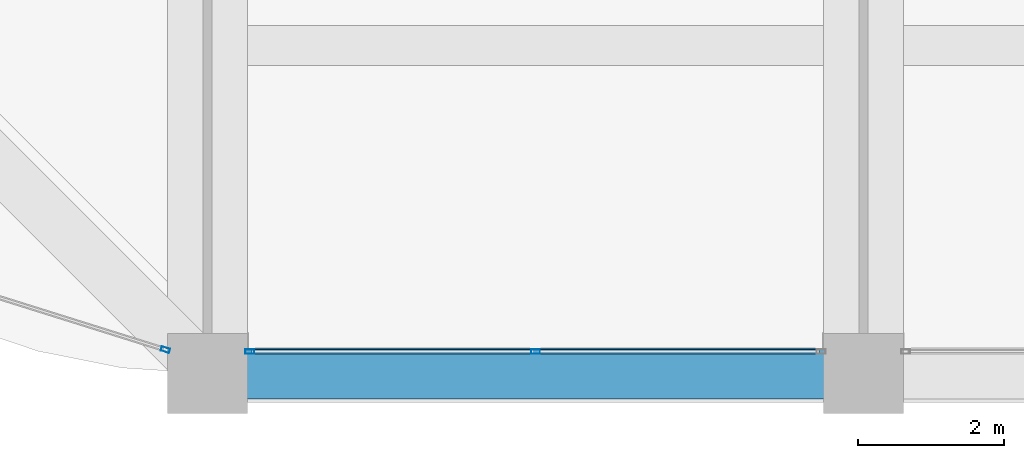
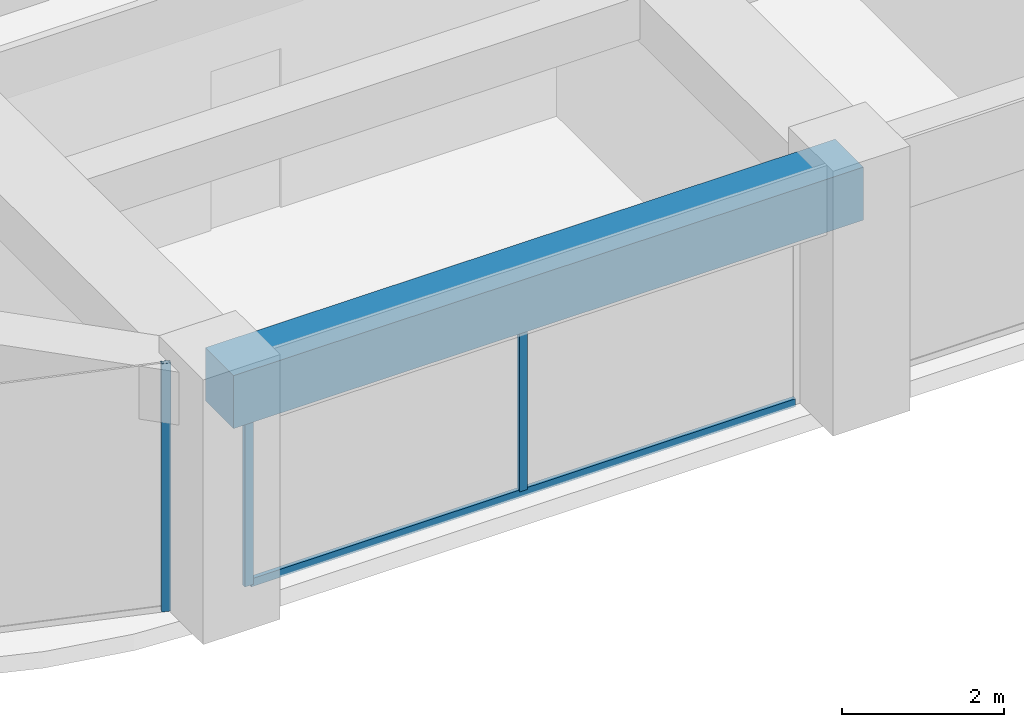
# One storey, part 4 of 44: 4 members, 1 beam, 2 elements without a shape of their own.
"""IFC4 building model written with IfcOpenShell, lengths in metres."""

from ifc_helpers import new_model, si_unit, direction, frame, origin, origin_2d, place, context, subcontext, project, spatial, rectangle, hollow_rectangle, extrude, material, material_profile, profile_set, type_object, element, aggregate, save


model = new_model("IFC4")

# Units and contexts
model_context = context("Model", 3, precision=1e-05, world=origin(), true_north=direction((0.0, 1.0)))
body_context = subcontext(model_context, "Body", "Model", "MODEL_VIEW")
ifc_project = project(units=[si_unit("LENGTHUNIT", "METRE"), si_unit("AREAUNIT", "SQUARE_METRE"), si_unit("VOLUMEUNIT", "CUBIC_METRE"), si_unit("PLANEANGLEUNIT", "RADIAN"), si_unit("MASSUNIT", "GRAM", prefix="KILO")], contexts=[model_context])

# Site, building, storey
site_placement = place(None, origin())
site = spatial("IfcSite", under=ifc_project, at=site_placement, CompositionType="ELEMENT")
building_placement = place(site_placement, origin())
building = spatial("IfcBuilding", under=site, at=building_placement, Name="Zorevar Civic Tower", CompositionType="ELEMENT")
storey_placement = place(building_placement, frame((0.0, 0.0, 271.39990234375)))
storey = spatial("IfcBuildingStorey", under=building, at=storey_placement, Name="L66", CompositionType="ELEMENT", Elevation=271.39990234375)

# Curtain wall, members
ifc_material_1 = material(Name="Dark grey solar-control glass in black aluminium frame", Category="aluminium")
curtain_wall_type = type_object("IfcCurtainWallType", Name="Curtain wall CW5 top zone", PredefinedType="NOTDEFINED", material=ifc_material_1)
curtain_wall_1_placement = place(storey_placement, origin())
curtain_wall_1 = element("IfcCurtainWall", 1, at=curtain_wall_1_placement, inside=storey, type_object=curtain_wall_type, Name="CW5 L66", PredefinedType="NOTDEFINED")
ifc_material_2 = material(Name="Aluminium, black anodised", Category="aluminium")
ifc_material_profile_1 = material_profile(ifc_material_2, hollow_rectangle(XDim=0.06005859375, YDim=0.1201171875, WallThickness=0.0029296875, at=origin_2d()), Name="AL 120x60x3")
ifc_profile_set_1 = profile_set([ifc_material_profile_1], Name="Aluminium, black anodised")
member_type_1 = type_object("IfcMemberType", Name="CW5 mullion AL 120x60x3", PredefinedType="MULLION", material=ifc_profile_set_1)
member_1_placement = place(storey_placement, frame((18.580078125, 0.300048828125, 0.0), z_axis=(0.0, 0.0, 1.0), x_axis=(0.0, 1.0, 0.0)))
member_1 = element("IfcMember", 2, at=member_1_placement, type_object=member_type_1, Name="CW5 mullion 1", PredefinedType="MULLION", context=body_context, shape_type="SweptSolid", body=[
    extrude(hollow_rectangle(XDim=0.06005859375, YDim=0.1201171875, WallThickness=0.0029296875, at=origin_2d()), origin(), (0.0, 0.0, 1.0), 2.9501953125),
])
member_2_placement = place(storey_placement, frame((22.5, 0.300048828125, 0.06005859375), z_axis=(0.0, 0.0, 1.0), x_axis=(0.0, 1.0, 0.0)))
member_2 = element("IfcMember", 3, at=member_2_placement, type_object=member_type_1, Name="CW5 mullion 2", PredefinedType="MULLION", context=body_context, shape_type="SweptSolid", body=[
    extrude(hollow_rectangle(XDim=0.06005859375, YDim=0.1201171875, WallThickness=0.0029296875, at=origin_2d()), origin(), (0.0, 0.0, 1.0), 2.89013671875),
])

# Curtain wall, member
curtain_wall_2_placement = place(storey_placement, origin())
curtain_wall_2 = element("IfcCurtainWall", 4, at=curtain_wall_2_placement, inside=storey, type_object=curtain_wall_type, Name="CW5 L66", PredefinedType="NOTDEFINED")
member_3_placement = place(storey_placement, frame((17.42138671875, 0.326416015625, 0.0), z_axis=(0.0, 0.0, 1.0), x_axis=(0.299317920238, 0.954153437674, 0.0)))
member_3 = element("IfcMember", 5, at=member_3_placement, type_object=member_type_1, Name="CW5 mullion 2", PredefinedType="MULLION", context=body_context, shape_type="SweptSolid", body=[
    extrude(hollow_rectangle(XDim=0.06005859375, YDim=0.1201171875, WallThickness=0.0029296875, at=origin_2d()), origin(), (0.0, 0.0, 1.0), 3.75),
])
aggregate(curtain_wall_2, [member_3])

# Member
ifc_material_3 = material(Name="Aluminium, black anodised", Category="aluminium")
ifc_material_profile_2 = material_profile(ifc_material_3, hollow_rectangle(XDim=0.06005859375, YDim=0.1201171875, WallThickness=0.0029296875, at=origin_2d()), Name="AL 120x60x3")
ifc_profile_set_2 = profile_set([ifc_material_profile_2], Name="Aluminium, black anodised")
member_type_2 = type_object("IfcMemberType", Name="CW5 transom AL 120x60x3", PredefinedType="USERDEFINED", material=ifc_profile_set_2)
member_4_placement = place(storey_placement, frame((18.610107421875, 0.300048828125, 0.030029296875), z_axis=(1.0, 0.0, 0.0), x_axis=(0.0, 1.0, 0.0)))
member_4 = element("IfcMember", 6, at=member_4_placement, type_object=member_type_2, Name="CW5 sill transom", ObjectType="TRANSOM", PredefinedType="USERDEFINED", context=body_context, shape_type="SweptSolid", body=[
    extrude(hollow_rectangle(XDim=0.06005859375, YDim=0.1201171875, WallThickness=0.0029296875, at=origin_2d()), origin(), (0.0, 0.0, 1.0), 7.77978515625),
])

aggregate(curtain_wall_1, [member_1, member_2, member_4])

# Beam
ifc_material_4 = material(Name="Concrete C50/60", Category="concrete")
ifc_material_profile_3 = material_profile(ifc_material_4, rectangle(XDim=0.699951171875, YDim=0.800048828125, at=origin_2d()), Name="RC 700x800")
ifc_profile_set_3 = profile_set([ifc_material_profile_3], Name="Concrete C50/60")
beam_type = type_object("IfcBeamType", Name="Edge beam RC 700x800", PredefinedType="SPANDREL", material=ifc_profile_set_3)
beam_placement = place(storey_placement, frame((18.0, 0.0, 3.35009765625), z_axis=(1.0, 0.0, 0.0), x_axis=(0.0, 1.0, 0.0)))
element("IfcBeam", 7, at=beam_placement, inside=storey, type_object=beam_type, Name="Edge beam L67", PredefinedType="SPANDREL", context=body_context, shape_type="SweptSolid", body=[
    extrude(rectangle(XDim=0.699951171875, YDim=0.800048828125, at=origin_2d()), origin(), (0.0, 0.0, 1.0), 9.0),
])

save(model, "model.ifc")
